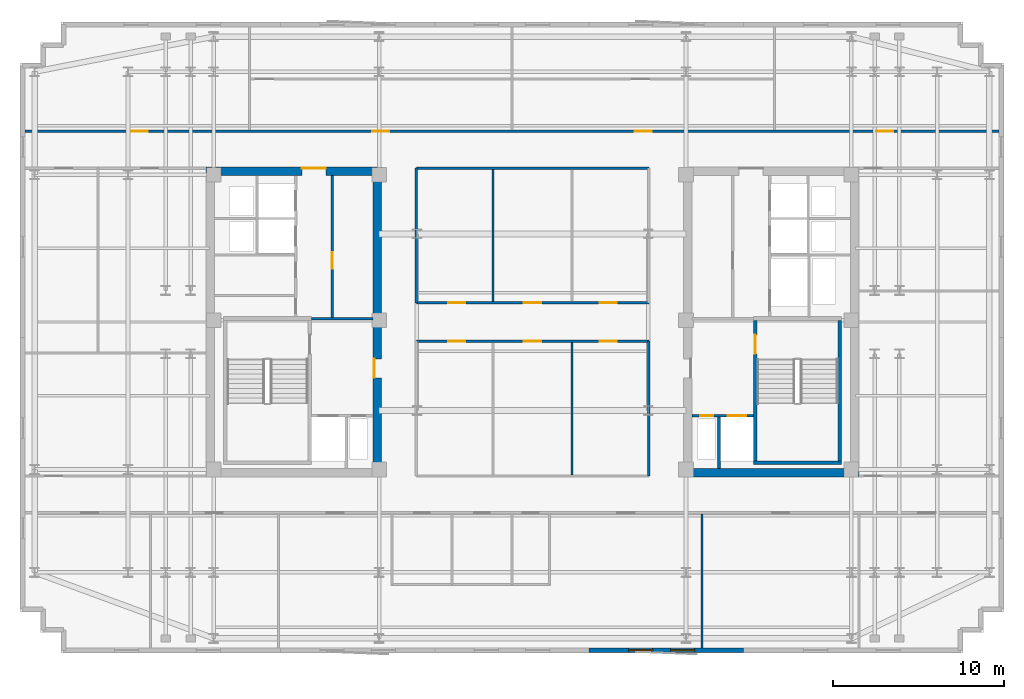
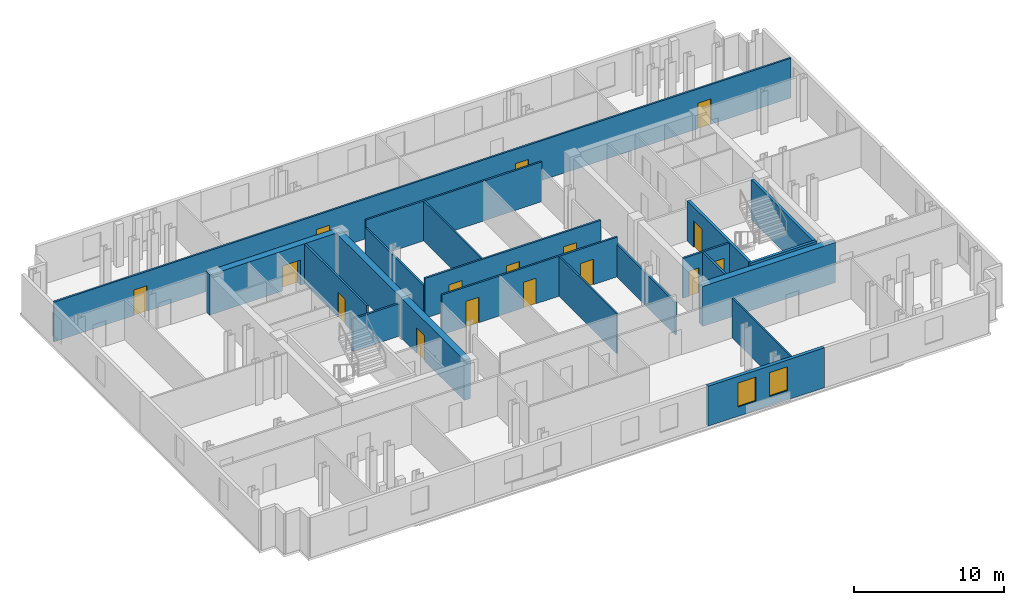
# One storey, part 5 of 9: 20 walls, 16 doors, 2 windows, 18 openings.
"""IFC4 building model written with IfcOpenShell, lengths in metres."""

from ifc_helpers import new_model, si_unit, direction, frame, frame_2d, origin, place, context, subcontext, project, spatial, rectangle, extrude, material, layer, layer_set, type_object, element, fill, save


model = new_model("IFC4")

# Units and contexts
model_context = context("Model", 3, precision=1e-05, world=origin(), true_north=direction((0.0, 1.0)))
body_context = subcontext(model_context, "Body", "Model", "MODEL_VIEW")
ifc_project = project(units=[si_unit("LENGTHUNIT", "METRE"), si_unit("AREAUNIT", "SQUARE_METRE"), si_unit("VOLUMEUNIT", "CUBIC_METRE"), si_unit("PLANEANGLEUNIT", "RADIAN"), si_unit("MASSUNIT", "GRAM", prefix="KILO")], contexts=[model_context])

# Site, building, storey
site_placement = place(None, origin())
site = spatial("IfcSite", under=ifc_project, at=site_placement, CompositionType="ELEMENT")
building_placement = place(site_placement, origin())
building = spatial("IfcBuilding", under=site, at=building_placement, Name="Velakula Bourse", CompositionType="ELEMENT")
storey_placement = place(building_placement, frame((0.0, 0.0, 229.199951171875)))
storey = spatial("IfcBuildingStorey", under=building, at=storey_placement, Name="L62", CompositionType="ELEMENT", Elevation=229.199951171875)

# Wall, opening, door
ifc_material_1 = material(Name="Concrete M50 (fck 50 MPa)", Category="concrete")
ifc_layer_1 = layer(ifc_material_1, 0.2099609375, Name="Concrete M50 (fck 50 MPa)", Category="concrete")
ifc_layer_set_1 = layer_set([ifc_layer_1], Name="Concrete M50 (fck 50 MPa)")
wall_type_1 = type_object("IfcWallType", Name="WL-CORE-210", PredefinedType="SHEAR", material=ifc_layer_set_1)
wall_1_placement = place(storey_placement, frame((12.9951171875, -8.10009765625, 0.0), z_axis=(0.0, 0.0, 1.0), x_axis=(0.0, 1.0, 0.0)))
wall_1 = element("IfcWall", 1, at=wall_1_placement, inside=storey, type_object=wall_type_1, Name="L62 Core E Stairwell Shear Wall IN", PredefinedType="SHEAR", context=body_context, shape_type="SweptSolid", body=[
    extrude(rectangle(XDim=8.2001953125, YDim=0.2099609375, at=frame_2d((4.10009765625, 0.0))), origin(), (0.0, 0.0, 1.0), 3.27001953125),
])
opening_1_placement = place(wall_1_placement, frame((6.25, 0.0, 0.0)))
opening_1 = element("IfcOpeningElement", 2, at=opening_1_placement, cuts=wall_1, Name="Opening D-STE1", PredefinedType="OPENING", context=body_context, shape_type="SweptSolid", body=[
    extrude(rectangle(XDim=1.10009765625, YDim=2.14990234375, at=frame_2d((0.550048828125, 1.074951171875))), frame((0.0, 0.114990234375, 0.0), z_axis=(0.0, -1.0, 0.0), x_axis=(1.0, 0.0, 0.0)), (0.0, 0.0, 1.0), 0.22998046875),
])
ifc_material_2 = material(Name="Galvanised painted hollow steel fire door", Category="steel")
door_type_1 = type_object("IfcDoorType", Name="DR-FD120-1100x2150", OperationType="NOTDEFINED", PredefinedType="DOOR", material=ifc_material_2)
door_1_placement = place(opening_1_placement, origin())
door_1 = element("IfcDoor", 3, at=door_1_placement, inside=storey, type_object=door_type_1, Name="L62 Stair ST-E1 Fire Door", OperationType="SINGLE_SWING_RIGHT", OverallHeight=2.14990234375, OverallWidth=1.10009765625, PredefinedType="DOOR", context=body_context, shape_type="SweptSolid", body=[
    extrude(rectangle(XDim=1.10009765625, YDim=2.14990234375, at=frame_2d((0.550048828125, 1.074951171875))), frame((0.0, 0.02490234375, 0.0), z_axis=(0.0, -1.0, 0.0), x_axis=(1.0, 0.0, 0.0)), (0.0, 0.0, 1.0), 0.050048828125),
])
fill(opening_1, door_1)

# Walls
wall_2_placement = place(storey_placement, frame((17.925048828125, -8.10009765625, 0.0), z_axis=(0.0, 0.0, 1.0), x_axis=(0.0, 1.0, 0.0)))
element("IfcWall", 4, at=wall_2_placement, inside=storey, type_object=wall_type_1, Name="L62 Core E Stairwell Shear Wall OUT", PredefinedType="SHEAR", context=body_context, shape_type="SweptSolid", body=[
    extrude(rectangle(XDim=8.2001953125, YDim=0.2099609375, at=frame_2d((4.10009765625, 0.0))), origin(), (0.0, 0.0, 1.0), 3.27001953125),
])
wall_3_placement = place(storey_placement, frame((12.889892578125, -8.205078125, 0.0), z_axis=(0.0, 0.0, 1.0), x_axis=(1.0, 0.0, 0.0)))
element("IfcWall", 5, at=wall_3_placement, inside=storey, type_object=wall_type_1, Name="L62 Core E Stairwell Shear Wall S", PredefinedType="SHEAR", context=body_context, shape_type="SweptSolid", body=[
    extrude(rectangle(XDim=5.14013671875, YDim=0.2099609375, at=frame_2d((2.570068359375, 0.0))), origin(), (0.0, 0.0, 1.0), 3.27001953125),
])

# Wall, opening, door
ifc_layer_2 = layer(ifc_material_1, 0.5, Name="Concrete M50 (fck 50 MPa)", Category="concrete")
ifc_layer_set_2 = layer_set([ifc_layer_2], Name="Concrete M50 (fck 50 MPa)")
wall_type_2 = type_object("IfcWallType", Name="WL-CORE-500", PredefinedType="SHEAR", material=ifc_layer_set_2)
wall_4_placement = place(storey_placement, frame((-19.050048828125, 8.800048828125, 0.0), z_axis=(0.0, 0.0, 1.0), x_axis=(1.0, 0.0, 0.0)))
wall_4 = element("IfcWall", 6, at=wall_4_placement, inside=storey, type_object=wall_type_2, Name="L62 Core W Shear Wall N", PredefinedType="SHEAR", context=body_context, shape_type="SweptSolid", body=[
    extrude(rectangle(XDim=10.25, YDim=0.5, at=frame_2d((5.125, 0.0))), origin(), (0.0, 0.0, 1.0), 3.27001953125),
])
opening_2_placement = place(wall_4_placement, frame((5.60009765625, 0.0, 0.0)))
opening_2 = element("IfcOpeningElement", 7, at=opening_2_placement, cuts=wall_4, Name="Opening D-LLW", PredefinedType="OPENING", context=body_context, shape_type="SweptSolid", body=[
    extrude(rectangle(XDim=1.39990234375, YDim=2.050048828125, at=frame_2d((0.699951171875, 1.02490234375))), frame((0.0, 0.260009765625, 0.0), z_axis=(0.0, -1.0, 0.0), x_axis=(1.0, 0.0, 0.0)), (0.0, 0.0, 1.0), 0.52001953125),
])
ifc_material_3 = material(Name="Fire-rated hardwood flush architectural door", Category="wood")
door_type_2 = type_object("IfcDoorType", Name="DR-DBL-FD60-1400", OperationType="DOUBLE_DOOR_SINGLE_SWING", PredefinedType="DOOR", material=ifc_material_3)
door_2_placement = place(opening_2_placement, origin())
door_2 = element("IfcDoor", 8, at=door_2_placement, inside=storey, type_object=door_type_2, Name="L62 Core W Lift Lobby Corridor Double Door", OperationType="DOUBLE_DOOR_SINGLE_SWING", OverallHeight=2.050048828125, OverallWidth=1.39990234375, PredefinedType="DOOR", context=body_context, shape_type="SweptSolid", body=[
    extrude(rectangle(XDim=1.39990234375, YDim=2.050048828125, at=frame_2d((0.699951171875, 1.02490234375))), frame((0.0, 0.19482421875, 0.0), z_axis=(0.0, -1.0, 0.0), x_axis=(1.0, 0.0, 0.0)), (0.0, 0.0, 1.0), 0.050048828125),
])
fill(opening_2, door_2)

wall_5_placement = place(storey_placement, frame((-9.050048828125, -8.550048828125, 0.0), z_axis=(0.0, 0.0, 1.0), x_axis=(0.0, 1.0, 0.0)))
wall_5 = element("IfcWall", 9, at=wall_5_placement, inside=storey, type_object=wall_type_2, Name="L62 Core W Shear Wall E", PredefinedType="SHEAR", context=body_context, shape_type="SweptSolid", body=[
    extrude(rectangle(XDim=17.10009765625, YDim=0.5, at=frame_2d((8.550048828125, 0.0))), origin(), (0.0, 0.0, 1.0), 3.27001953125),
])
opening_3_placement = place(wall_5_placement, frame((5.300048828125, 0.0, 0.0)))
opening_3 = element("IfcOpeningElement", 10, at=opening_3_placement, cuts=wall_5, Name="Opening D-FLW", PredefinedType="OPENING", context=body_context, shape_type="SweptSolid", body=[
    extrude(rectangle(XDim=1.10009765625, YDim=2.080078125, at=frame_2d((0.550048828125, 1.0400390625))), frame((0.0, 0.260009765625, 0.0), z_axis=(0.0, -1.0, 0.0), x_axis=(1.0, 0.0, 0.0)), (0.0, 0.0, 1.0), 0.52001953125),
])
door_type_3 = type_object("IfcDoorType", Name="DR-FD120-1100", OperationType="NOTDEFINED", PredefinedType="DOOR", material=ifc_material_2)
door_3_placement = place(opening_3_placement, origin())
door_3 = element("IfcDoor", 11, at=door_3_placement, inside=storey, type_object=door_type_3, Name="L62 Firefighting Lobby W Corridor Fire Door", OperationType="SINGLE_SWING_LEFT", OverallHeight=2.080078125, OverallWidth=1.10009765625, PredefinedType="DOOR", context=body_context, shape_type="SweptSolid", body=[
    extrude(rectangle(XDim=1.10009765625, YDim=2.080078125, at=frame_2d((0.550048828125, 1.0400390625))), frame((0.0, 0.205078125, 0.0), z_axis=(0.0, -1.0, 0.0), x_axis=(1.0, 0.0, 0.0)), (0.0, 0.0, 1.0), 0.050048828125),
])
fill(opening_3, door_3)

# Wall
wall_6_placement = place(storey_placement, frame((8.800048828125, -8.800048828125, 0.0), z_axis=(0.0, 0.0, 1.0), x_axis=(1.0, 0.0, 0.0)))
element("IfcWall", 12, at=wall_6_placement, inside=storey, type_object=wall_type_2, Name="L62 Core E Shear Wall S", PredefinedType="SHEAR", context=body_context, shape_type="SweptSolid", body=[
    extrude(rectangle(XDim=10.25, YDim=0.5, at=frame_2d((5.125, 0.0))), origin(), (0.0, 0.0, 1.0), 3.27001953125),
])

# Wall, openings, windows
ifc_material_4 = material(Name="Buff kilned clay facing brick masonry", Category="masonry")
ifc_layer_3 = layer(ifc_material_4, 0.260009765625, Name="Buff kilned clay facing brick masonry", Category="masonry")
ifc_layer_set_3 = layer_set([ifc_layer_3], Name="Buff kilned clay facing brick masonry")
wall_type_3 = type_object("IfcWallType", Name="WL-EXT-BRK-260", PredefinedType="STANDARD", material=ifc_layer_set_3)
wall_7_placement = place(storey_placement, frame((12.300048828125, -19.14990234375, 0.0), z_axis=(0.0, 0.0, 1.0), x_axis=(-1.0, 0.0, 0.0)))
wall_7 = element("IfcWall", 13, at=wall_7_placement, inside=storey, type_object=wall_type_3, Name="L62 S Brick Spandrel Wall B4", PredefinedType="STANDARD", context=body_context, shape_type="SweptSolid", body=[
    extrude(rectangle(XDim=9.0, YDim=0.260009765625, at=frame_2d((4.5, 0.0))), origin(), (0.0, 0.0, 1.0), 3.25),
])
opening_4_placement = place(wall_7_placement, frame((2.85009765625, 0.0, 0.760009765625)))
opening_4 = element("IfcOpeningElement", 14, at=opening_4_placement, cuts=wall_7, Name="Opening W-03", PredefinedType="OPENING", context=body_context, shape_type="SweptSolid", body=[
    extrude(rectangle(XDim=1.39990234375, YDim=1.949951171875, at=frame_2d((0.699951171875, 0.97509765625))), frame((0.0, 0.139892578125, 0.0), z_axis=(0.0, -1.0, 0.0), x_axis=(1.0, 0.0, 0.0)), (0.0, 0.0, 1.0), 0.280029296875),
])
opening_5_placement = place(wall_7_placement, frame((5.300048828125, 0.0, 0.760009765625)))
opening_5 = element("IfcOpeningElement", 15, at=opening_5_placement, cuts=wall_7, Name="Opening W-03", PredefinedType="OPENING", context=body_context, shape_type="SweptSolid", body=[
    extrude(rectangle(XDim=1.39990234375, YDim=1.949951171875, at=frame_2d((0.699951171875, 0.97509765625))), frame((0.0, 0.139892578125, 0.0), z_axis=(0.0, -1.0, 0.0), x_axis=(1.0, 0.0, 0.0)), (0.0, 0.0, 1.0), 0.280029296875),
])
ifc_material_5 = material(Name="Double-glazed solar-control Low-E glass", Category="glass")
window_type = type_object("IfcWindowType", Name="WIN-TWR-1400x2100", PartitioningType="SINGLE_PANEL", PredefinedType="WINDOW", material=ifc_material_5)
window_1_placement = place(opening_4_placement, origin())
window_1 = element("IfcWindow", 16, at=window_1_placement, inside=storey, type_object=window_type, Name="L62 Deep-Set Recessed Window 1", OverallHeight=1.949951171875, OverallWidth=1.39990234375, PartitioningType="SINGLE_PANEL", PredefinedType="WINDOW", context=body_context, shape_type="SweptSolid", body=[
    extrude(rectangle(XDim=1.39990234375, YDim=1.949951171875, at=frame_2d((0.699951171875, 0.97509765625))), frame((0.0, 0.030029296875, 0.0), z_axis=(0.0, -1.0, 0.0), x_axis=(1.0, 0.0, 0.0)), (0.0, 0.0, 1.0), 0.06005859375),
])
fill(opening_4, window_1)
window_2_placement = place(opening_5_placement, origin())
window_2 = element("IfcWindow", 17, at=window_2_placement, inside=storey, type_object=window_type, Name="L62 Deep-Set Recessed Window 2", OverallHeight=1.949951171875, OverallWidth=1.39990234375, PartitioningType="SINGLE_PANEL", PredefinedType="WINDOW", context=body_context, shape_type="SweptSolid", body=[
    extrude(rectangle(XDim=1.39990234375, YDim=1.949951171875, at=frame_2d((0.699951171875, 0.97509765625))), frame((0.0, 0.030029296875, 0.0), z_axis=(0.0, -1.0, 0.0), x_axis=(1.0, 0.0, 0.0)), (0.0, 0.0, 1.0), 0.06005859375),
])
fill(opening_5, window_2)

# Wall
ifc_material_6 = material(Name="Fire-rated double-layer gypsum drywall partition", Category="gypsum")
ifc_layer_4 = layer(ifc_material_6, 0.1201171875, Name="Fire-rated double-layer gypsum drywall partition", Category="gypsum")
ifc_layer_set_4 = layer_set([ifc_layer_4], Name="Fire-rated double-layer gypsum drywall partition")
wall_type_4 = type_object("IfcWallType", Name="WL-PART-120", PredefinedType="STANDARD", material=ifc_layer_set_4)
wall_8_placement = place(storey_placement, frame((9.89404296875, -19.02001953125, 0.0), z_axis=(0.0, 0.0, 1.0), x_axis=(0.0, 1.0, 0.0)))
element("IfcWall", 18, at=wall_8_placement, inside=storey, type_object=wall_type_4, Name="L62 Interior Partition WL-INT-L62-SR-D7", PredefinedType="STANDARD", context=body_context, shape_type="SweptSolid", body=[
    extrude(rectangle(XDim=7.830078125, YDim=0.1201171875, at=frame_2d((3.9150390625, 0.0))), origin(), (0.0, 0.0, 1.0), 3.25),
])

# Wall, openings, doors
ifc_layer_5 = layer(ifc_material_6, 0.139892578125, Name="Fire-rated double-layer gypsum drywall partition", Category="gypsum")
ifc_layer_set_5 = layer_set([ifc_layer_5], Name="Fire-rated double-layer gypsum drywall partition")
wall_type_5 = type_object("IfcWallType", Name="WL-PART-140", PredefinedType="STANDARD", material=ifc_layer_set_5)
wall_9_placement = place(storey_placement, frame((-29.6201171875, 11.1201171875, 0.0), z_axis=(0.0, 0.0, 1.0), x_axis=(1.0, 0.0, 0.0)))
wall_9 = element("IfcWall", 19, at=wall_9_placement, inside=storey, type_object=wall_type_5, Name="L62 Interior Partition WL-INT-L62-N-CORR", PredefinedType="STANDARD", context=body_context, shape_type="SweptSolid", body=[
    extrude(rectangle(XDim=56.840087890625, YDim=0.139892578125, at=frame_2d((28.419921875, 0.0))), origin(), (0.0, 0.0, 1.0), 3.25),
])
opening_6_placement = place(wall_9_placement, frame((6.178955078125, 0.0, 0.0)))
opening_6 = element("IfcOpeningElement", 20, at=opening_6_placement, cuts=wall_9, Name="Opening D-OF1", PredefinedType="OPENING", context=body_context, shape_type="SweptSolid", body=[
    extrude(rectangle(XDim=1.0, YDim=2.080078125, at=frame_2d((0.5, 1.0400390625))), frame((0.0, 0.079833984375, 0.0), z_axis=(0.0, -1.0, 0.0), x_axis=(1.0, 0.0, 0.0)), (0.0, 0.0, 1.0), 0.159912109375),
])
opening_7_placement = place(wall_9_placement, frame((20.262939453125, 0.0, 0.0)))
opening_7 = element("IfcOpeningElement", 21, at=opening_7_placement, cuts=wall_9, Name="Opening D-OF1", PredefinedType="OPENING", context=body_context, shape_type="SweptSolid", body=[
    extrude(rectangle(XDim=1.0, YDim=2.080078125, at=frame_2d((0.5, 1.0400390625))), frame((0.0, 0.079833984375, 0.0), z_axis=(0.0, -1.0, 0.0), x_axis=(1.0, 0.0, 0.0)), (0.0, 0.0, 1.0), 0.159912109375),
])
opening_8_placement = place(wall_9_placement, frame((35.576904296875, 0.0, 0.0)))
opening_8 = element("IfcOpeningElement", 22, at=opening_8_placement, cuts=wall_9, Name="Opening D-OF1", PredefinedType="OPENING", context=body_context, shape_type="SweptSolid", body=[
    extrude(rectangle(XDim=1.0, YDim=2.080078125, at=frame_2d((0.5, 1.0400390625))), frame((0.0, 0.079833984375, 0.0), z_axis=(0.0, -1.0, 0.0), x_axis=(1.0, 0.0, 0.0)), (0.0, 0.0, 1.0), 0.159912109375),
])
opening_9_placement = place(wall_9_placement, frame((49.660888671875, 0.0, 0.0)))
opening_9 = element("IfcOpeningElement", 23, at=opening_9_placement, cuts=wall_9, Name="Opening D-OF1", PredefinedType="OPENING", context=body_context, shape_type="SweptSolid", body=[
    extrude(rectangle(XDim=1.0, YDim=2.080078125, at=frame_2d((0.5, 1.0400390625))), frame((0.0, 0.079833984375, 0.0), z_axis=(0.0, -1.0, 0.0), x_axis=(1.0, 0.0, 0.0)), (0.0, 0.0, 1.0), 0.159912109375),
])
door_type_4 = type_object("IfcDoorType", Name="DR-OFF-1000", OperationType="NOTDEFINED", PredefinedType="DOOR", material=ifc_material_3)
door_4_placement = place(opening_6_placement, origin())
door_4 = element("IfcDoor", 24, at=door_4_placement, inside=storey, type_object=door_type_4, Name="L62 Interest-Rate Swaps Workspace Door", OperationType="SINGLE_SWING_LEFT", OverallHeight=2.080078125, OverallWidth=1.0, PredefinedType="DOOR", context=body_context, shape_type="SweptSolid", body=[
    extrude(rectangle(XDim=1.0, YDim=2.080078125, at=frame_2d((0.5, 1.0400390625))), frame((0.0, 0.02490234375, 0.0), z_axis=(0.0, -1.0, 0.0), x_axis=(1.0, 0.0, 0.0)), (0.0, 0.0, 1.0), 0.050048828125),
])
fill(opening_6, door_4)
door_5_placement = place(opening_7_placement, origin())
door_5 = element("IfcDoor", 25, at=door_5_placement, inside=storey, type_object=door_type_4, Name="L62 Clearing Committee Room Door", OperationType="SINGLE_SWING_RIGHT", OverallHeight=2.080078125, OverallWidth=1.0, PredefinedType="DOOR", context=body_context, shape_type="SweptSolid", body=[
    extrude(rectangle(XDim=1.0, YDim=2.080078125, at=frame_2d((0.5, 1.0400390625))), frame((0.0, 0.02490234375, 0.0), z_axis=(0.0, -1.0, 0.0), x_axis=(1.0, 0.0, 0.0)), (0.0, 0.0, 1.0), 0.050048828125),
])
fill(opening_7, door_5)
door_6_placement = place(opening_8_placement, origin())
door_6 = element("IfcDoor", 26, at=door_6_placement, inside=storey, type_object=door_type_4, Name="L62 Executive Boardroom Door", OperationType="SINGLE_SWING_RIGHT", OverallHeight=2.080078125, OverallWidth=1.0, PredefinedType="DOOR", context=body_context, shape_type="SweptSolid", body=[
    extrude(rectangle(XDim=1.0, YDim=2.080078125, at=frame_2d((0.5, 1.0400390625))), frame((0.0, 0.02490234375, 0.0), z_axis=(0.0, -1.0, 0.0), x_axis=(1.0, 0.0, 0.0)), (0.0, 0.0, 1.0), 0.050048828125),
])
fill(opening_8, door_6)
door_7_placement = place(opening_9_placement, origin())
door_7 = element("IfcDoor", 27, at=door_7_placement, inside=storey, type_object=door_type_4, Name="L62 Breakout Dining Lounge Door", OperationType="SINGLE_SWING_RIGHT", OverallHeight=2.080078125, OverallWidth=1.0, PredefinedType="DOOR", context=body_context, shape_type="SweptSolid", body=[
    extrude(rectangle(XDim=1.0, YDim=2.080078125, at=frame_2d((0.5, 1.0400390625))), frame((0.0, 0.02490234375, 0.0), z_axis=(0.0, -1.0, 0.0), x_axis=(1.0, 0.0, 0.0)), (0.0, 0.0, 1.0), 0.050048828125),
])
fill(opening_9, door_7)

wall_10_placement = place(storey_placement, frame((-6.780029296875, 1.1201171875, 0.0), z_axis=(0.0, 0.0, 1.0), x_axis=(1.0, 0.0, 0.0)))
wall_10 = element("IfcWall", 28, at=wall_10_placement, inside=storey, type_object=wall_type_5, Name="L62 Interior Partition WL-INT-L62-MN-IN", PredefinedType="STANDARD", context=body_context, shape_type="SweptSolid", body=[
    extrude(rectangle(XDim=13.56005859375, YDim=0.139892578125, at=frame_2d((6.780029296875, 0.0))), origin(), (0.0, 0.0, 1.0), 3.25),
])
opening_10_placement = place(wall_10_placement, frame((1.865966796875, 0.0, 0.0)))
opening_10 = element("IfcOpeningElement", 29, at=opening_10_placement, cuts=wall_10, Name="Opening D-OF1", PredefinedType="OPENING", context=body_context, shape_type="SweptSolid", body=[
    extrude(rectangle(XDim=1.0, YDim=2.080078125, at=frame_2d((0.5, 1.0400390625))), frame((0.0, 0.079833984375, 0.0), z_axis=(0.0, -1.0, 0.0), x_axis=(1.0, 0.0, 0.0)), (0.0, 0.0, 1.0), 0.159912109375),
])
opening_11_placement = place(wall_10_placement, frame((6.280029296875, 0.0, 0.0)))
opening_11 = element("IfcOpeningElement", 30, at=opening_11_placement, cuts=wall_10, Name="Opening D-OF1", PredefinedType="OPENING", context=body_context, shape_type="SweptSolid", body=[
    extrude(rectangle(XDim=1.0, YDim=2.080078125, at=frame_2d((0.5, 1.0400390625))), frame((0.0, 0.079833984375, 0.0), z_axis=(0.0, -1.0, 0.0), x_axis=(1.0, 0.0, 0.0)), (0.0, 0.0, 1.0), 0.159912109375),
])
opening_12_placement = place(wall_10_placement, frame((10.694091796875, 0.0, 0.0)))
opening_12 = element("IfcOpeningElement", 31, at=opening_12_placement, cuts=wall_10, Name="Opening D-OF1", PredefinedType="OPENING", context=body_context, shape_type="SweptSolid", body=[
    extrude(rectangle(XDim=1.0, YDim=2.080078125, at=frame_2d((0.5, 1.0400390625))), frame((0.0, 0.079833984375, 0.0), z_axis=(0.0, -1.0, 0.0), x_axis=(1.0, 0.0, 0.0)), (0.0, 0.0, 1.0), 0.159912109375),
])
door_8_placement = place(opening_10_placement, origin())
door_8 = element("IfcDoor", 32, at=door_8_placement, inside=storey, type_object=door_type_4, Name="L62 Margin Control Office Door", OperationType="SINGLE_SWING_LEFT", OverallHeight=2.080078125, OverallWidth=1.0, PredefinedType="DOOR", context=body_context, shape_type="SweptSolid", body=[
    extrude(rectangle(XDim=1.0, YDim=2.080078125, at=frame_2d((0.5, 1.0400390625))), frame((0.0, 0.02490234375, 0.0), z_axis=(0.0, -1.0, 0.0), x_axis=(1.0, 0.0, 0.0)), (0.0, 0.0, 1.0), 0.050048828125),
])
fill(opening_10, door_8)
door_9_placement = place(opening_11_placement, origin())
door_9 = element("IfcDoor", 33, at=door_9_placement, inside=storey, type_object=door_type_4, Name="L62 Treasury Operations Office Door", OperationType="SINGLE_SWING_RIGHT", OverallHeight=2.080078125, OverallWidth=1.0, PredefinedType="DOOR", context=body_context, shape_type="SweptSolid", body=[
    extrude(rectangle(XDim=1.0, YDim=2.080078125, at=frame_2d((0.5, 1.0400390625))), frame((0.0, 0.02490234375, 0.0), z_axis=(0.0, -1.0, 0.0), x_axis=(1.0, 0.0, 0.0)), (0.0, 0.0, 1.0), 0.050048828125),
])
fill(opening_11, door_9)
door_10_placement = place(opening_12_placement, origin())
door_10 = element("IfcDoor", 34, at=door_10_placement, inside=storey, type_object=door_type_4, Name="L62 Bullion Assay Office Door", OperationType="SINGLE_SWING_LEFT", OverallHeight=2.080078125, OverallWidth=1.0, PredefinedType="DOOR", context=body_context, shape_type="SweptSolid", body=[
    extrude(rectangle(XDim=1.0, YDim=2.080078125, at=frame_2d((0.5, 1.0400390625))), frame((0.0, 0.02490234375, 0.0), z_axis=(0.0, -1.0, 0.0), x_axis=(1.0, 0.0, 0.0)), (0.0, 0.0, 1.0), 0.050048828125),
])
fill(opening_12, door_10)

# Walls
wall_11_placement = place(storey_placement, frame((-6.780029296875, 8.97998046875, 0.0), z_axis=(0.0, 0.0, 1.0), x_axis=(1.0, 0.0, 0.0)))
element("IfcWall", 35, at=wall_11_placement, inside=storey, type_object=wall_type_5, Name="L62 Interior Partition WL-INT-L62-MN-OUT", PredefinedType="STANDARD", context=body_context, shape_type="SweptSolid", body=[
    extrude(rectangle(XDim=13.56005859375, YDim=0.139892578125, at=frame_2d((6.780029296875, 0.0))), origin(), (0.0, 0.0, 1.0), 3.25),
])
wall_12_placement = place(storey_placement, frame((-6.780029296875, 1.1201171875, 0.0), z_axis=(0.0, 0.0, 1.0), x_axis=(0.0, 1.0, 0.0)))
element("IfcWall", 36, at=wall_12_placement, inside=storey, type_object=wall_type_5, Name="L62 Interior Partition WL-INT-L62-MN-W", PredefinedType="STANDARD", context=body_context, shape_type="SweptSolid", body=[
    extrude(rectangle(XDim=7.85986328125, YDim=0.139892578125, at=frame_2d((3.929931640625, 0.0))), origin(), (0.0, 0.0, 1.0), 2.64501953125),
])
wall_13_placement = place(storey_placement, frame((-2.300048828125, 1.18994140625, 0.0), z_axis=(0.0, 0.0, 1.0), x_axis=(0.0, 1.0, 0.0)))
element("IfcWall", 37, at=wall_13_placement, inside=storey, type_object=wall_type_5, Name="L62 Interior Partition WL-INT-L62-MN-V1", PredefinedType="STANDARD", context=body_context, shape_type="SweptSolid", body=[
    extrude(rectangle(XDim=7.719970703125, YDim=0.1201171875, at=frame_2d((3.85986328125, 0.0))), origin(), (0.0, 0.0, 1.0), 3.25),
])

# Wall, openings, doors
wall_14_placement = place(storey_placement, frame((-6.780029296875, -1.1201171875, 0.0), z_axis=(0.0, 0.0, 1.0), x_axis=(1.0, 0.0, 0.0)))
wall_14 = element("IfcWall", 38, at=wall_14_placement, inside=storey, type_object=wall_type_5, Name="L62 Interior Partition WL-INT-L62-MS-IN", PredefinedType="STANDARD", context=body_context, shape_type="SweptSolid", body=[
    extrude(rectangle(XDim=13.56005859375, YDim=0.139892578125, at=frame_2d((6.780029296875, 0.0))), origin(), (0.0, 0.0, 1.0), 3.25),
])
opening_13_placement = place(wall_14_placement, frame((1.865966796875, 0.0, 0.0)))
opening_13 = element("IfcOpeningElement", 39, at=opening_13_placement, cuts=wall_14, Name="Opening D-OF1", PredefinedType="OPENING", context=body_context, shape_type="SweptSolid", body=[
    extrude(rectangle(XDim=1.0, YDim=2.080078125, at=frame_2d((0.5, 1.0400390625))), frame((0.0, 0.079833984375, 0.0), z_axis=(0.0, -1.0, 0.0), x_axis=(1.0, 0.0, 0.0)), (0.0, 0.0, 1.0), 0.159912109375),
])
opening_14_placement = place(wall_14_placement, frame((6.280029296875, 0.0, 0.0)))
opening_14 = element("IfcOpeningElement", 40, at=opening_14_placement, cuts=wall_14, Name="Opening D-OF1", PredefinedType="OPENING", context=body_context, shape_type="SweptSolid", body=[
    extrude(rectangle(XDim=1.0, YDim=2.080078125, at=frame_2d((0.5, 1.0400390625))), frame((0.0, 0.079833984375, 0.0), z_axis=(0.0, -1.0, 0.0), x_axis=(1.0, 0.0, 0.0)), (0.0, 0.0, 1.0), 0.159912109375),
])
opening_15_placement = place(wall_14_placement, frame((10.694091796875, 0.0, 0.0)))
opening_15 = element("IfcOpeningElement", 41, at=opening_15_placement, cuts=wall_14, Name="Opening D-OF1", PredefinedType="OPENING", context=body_context, shape_type="SweptSolid", body=[
    extrude(rectangle(XDim=1.0, YDim=2.080078125, at=frame_2d((0.5, 1.0400390625))), frame((0.0, 0.079833984375, 0.0), z_axis=(0.0, -1.0, 0.0), x_axis=(1.0, 0.0, 0.0)), (0.0, 0.0, 1.0), 0.159912109375),
])
door_11_placement = place(opening_13_placement, origin())
door_11 = element("IfcDoor", 42, at=door_11_placement, inside=storey, type_object=door_type_4, Name="L62 Legal Counsel Office Door", OperationType="SINGLE_SWING_RIGHT", OverallHeight=2.080078125, OverallWidth=1.0, PredefinedType="DOOR", context=body_context, shape_type="SweptSolid", body=[
    extrude(rectangle(XDim=1.0, YDim=2.080078125, at=frame_2d((0.5, 1.0400390625))), frame((0.0, 0.02490234375, 0.0), z_axis=(0.0, -1.0, 0.0), x_axis=(1.0, 0.0, 0.0)), (0.0, 0.0, 1.0), 0.050048828125),
])
fill(opening_13, door_11)
door_12_placement = place(opening_14_placement, origin())
door_12 = element("IfcDoor", 43, at=door_12_placement, inside=storey, type_object=door_type_4, Name="L62 Issuer Relations Office Door", OperationType="SINGLE_SWING_LEFT", OverallHeight=2.080078125, OverallWidth=1.0, PredefinedType="DOOR", context=body_context, shape_type="SweptSolid", body=[
    extrude(rectangle(XDim=1.0, YDim=2.080078125, at=frame_2d((0.5, 1.0400390625))), frame((0.0, 0.02490234375, 0.0), z_axis=(0.0, -1.0, 0.0), x_axis=(1.0, 0.0, 0.0)), (0.0, 0.0, 1.0), 0.050048828125),
])
fill(opening_14, door_12)
door_13_placement = place(opening_15_placement, origin())
door_13 = element("IfcDoor", 44, at=door_13_placement, inside=storey, type_object=door_type_4, Name="L62 Asset Allocation Office Door", OperationType="SINGLE_SWING_RIGHT", OverallHeight=2.080078125, OverallWidth=1.0, PredefinedType="DOOR", context=body_context, shape_type="SweptSolid", body=[
    extrude(rectangle(XDim=1.0, YDim=2.080078125, at=frame_2d((0.5, 1.0400390625))), frame((0.0, 0.02490234375, 0.0), z_axis=(0.0, -1.0, 0.0), x_axis=(1.0, 0.0, 0.0)), (0.0, 0.0, 1.0), 0.050048828125),
])
fill(opening_15, door_13)

# Walls
wall_15_placement = place(storey_placement, frame((6.780029296875, -8.97998046875, 0.0), z_axis=(0.0, 0.0, 1.0), x_axis=(0.0, 1.0, 0.0)))
element("IfcWall", 45, at=wall_15_placement, inside=storey, type_object=wall_type_5, Name="L62 Interior Partition WL-INT-L62-MS-E", PredefinedType="STANDARD", context=body_context, shape_type="SweptSolid", body=[
    extrude(rectangle(XDim=7.85986328125, YDim=0.139892578125, at=frame_2d((3.929931640625, 0.0))), origin(), (0.0, 0.0, 1.0), 2.64501953125),
])
wall_16_placement = place(storey_placement, frame((2.300048828125, -8.909912109375, 0.0), z_axis=(0.0, 0.0, 1.0), x_axis=(0.0, 1.0, 0.0)))
element("IfcWall", 46, at=wall_16_placement, inside=storey, type_object=wall_type_5, Name="L62 Interior Partition WL-INT-L62-MS-V2", PredefinedType="STANDARD", context=body_context, shape_type="SweptSolid", body=[
    extrude(rectangle(XDim=7.719970703125, YDim=0.1201171875, at=frame_2d((3.85986328125, 0.0))), origin(), (0.0, 0.0, 1.0), 3.25),
])
ifc_material_7 = material(Name="Autoclaved aerated concrete blockwork masonry", Category="masonry")
ifc_layer_6 = layer(ifc_material_7, 0.14990234375, Name="Autoclaved aerated concrete blockwork masonry", Category="masonry")
ifc_layer_set_6 = layer_set([ifc_layer_6], Name="Autoclaved aerated concrete blockwork masonry")
wall_type_6 = type_object("IfcWallType", Name="WL-SHAFT-150", PredefinedType="STANDARD", material=ifc_layer_set_6)
wall_17_placement = place(storey_placement, frame((-12.889892578125, 0.18994140625, 0.0), z_axis=(0.0, 0.0, 1.0), x_axis=(1.0, 0.0, 0.0)))
element("IfcWall", 47, at=wall_17_placement, inside=storey, type_object=wall_type_6, Name="L62 Interior Partition WL-CRW-L62-FF-TOP", PredefinedType="STANDARD", context=body_context, shape_type="SweptSolid", body=[
    extrude(rectangle(XDim=3.58984375, YDim=0.14990234375, at=frame_2d((1.794921875, 0.0))), origin(), (0.0, 0.0, 1.0), 2.64501953125),
])

# Wall, opening, door
wall_18_placement = place(storey_placement, frame((-11.675048828125, 0.27001953125, 0.0), z_axis=(0.0, 0.0, 1.0), x_axis=(0.0, 1.0, 0.0)))
wall_18 = element("IfcWall", 48, at=wall_18_placement, inside=storey, type_object=wall_type_6, Name="L62 Interior Partition WL-CRW-L62-BANK-F", PredefinedType="STANDARD", context=body_context, shape_type="SweptSolid", body=[
    extrude(rectangle(XDim=8.280029296875, YDim=0.14990234375, at=frame_2d((4.14013671875, 0.0))), origin(), (0.0, 0.0, 1.0), 3.25),
])
opening_16_placement = place(wall_18_placement, frame((2.85009765625, 0.0, 0.0)))
opening_16 = element("IfcOpeningElement", 49, at=opening_16_placement, cuts=wall_18, Name="Opening D-RC4", PredefinedType="OPENING", context=body_context, shape_type="SweptSolid", body=[
    extrude(rectangle(XDim=0.949951171875, YDim=2.050048828125, at=frame_2d((0.47509765625, 1.02490234375))), frame((0.0, 0.0849609375, 0.0), z_axis=(0.0, -1.0, 0.0), x_axis=(1.0, 0.0, 0.0)), (0.0, 0.0, 1.0), 0.169921875),
])
door_type_5 = type_object("IfcDoorType", Name="DR-FD60-950x2050", OperationType="NOTDEFINED", PredefinedType="DOOR", material=ifc_material_3)
door_14_placement = place(opening_16_placement, origin())
door_14 = element("IfcDoor", 50, at=door_14_placement, inside=storey, type_object=door_type_5, Name="L62 Reclaimed Multi-Bay Archive Room Door", OperationType="SINGLE_SWING_RIGHT", OverallHeight=2.050048828125, OverallWidth=0.949951171875, PredefinedType="DOOR", context=body_context, shape_type="SweptSolid", body=[
    extrude(rectangle(XDim=0.949951171875, YDim=2.050048828125, at=frame_2d((0.47509765625, 1.02490234375))), frame((0.0, 0.02490234375, 0.0), z_axis=(0.0, -1.0, 0.0), x_axis=(1.0, 0.0, 0.0)), (0.0, 0.0, 1.0), 0.050048828125),
])
fill(opening_16, door_14)

# Wall, openings, doors
wall_19_placement = place(storey_placement, frame((9.300048828125, -5.47509765625, 0.0), z_axis=(0.0, 0.0, 1.0), x_axis=(1.0, 0.0, 0.0)))
wall_19 = element("IfcWall", 51, at=wall_19_placement, inside=storey, type_object=wall_type_6, Name="L62 Interior Partition WL-CRE-L62-FFL-N", PredefinedType="STANDARD", context=body_context, shape_type="SweptSolid", body=[
    extrude(rectangle(XDim=3.594970703125, YDim=0.14990234375, at=frame_2d((1.79736328125, 0.0))), origin(), (0.0, 0.0, 1.0), 3.25),
])
opening_17_placement = place(wall_19_placement, frame((2.074951171875, 0.0, 0.0)))
opening_17 = element("IfcOpeningElement", 52, at=opening_17_placement, cuts=wall_19, Name="Opening LD-FFL-2", PredefinedType="OPENING", context=body_context, shape_type="SweptSolid", body=[
    extrude(rectangle(XDim=1.10009765625, YDim=2.14990234375, at=frame_2d((0.550048828125, 1.074951171875))), frame((0.0, 0.0849609375, 0.0), z_axis=(0.0, -1.0, 0.0), x_axis=(1.0, 0.0, 0.0)), (0.0, 0.0, 1.0), 0.169921875),
])
opening_18_placement = place(wall_19_placement, frame((0.47509765625, 0.0, 0.0)))
opening_18 = element("IfcOpeningElement", 53, at=opening_18_placement, cuts=wall_19, Name="Opening D-RS1", PredefinedType="OPENING", context=body_context, shape_type="SweptSolid", body=[
    extrude(rectangle(XDim=0.75, YDim=2.050048828125, at=frame_2d((0.375, 1.02490234375))), frame((0.0, 0.0849609375, 0.0), z_axis=(0.0, -1.0, 0.0), x_axis=(1.0, 0.0, 0.0)), (0.0, 0.0, 1.0), 0.169921875),
])
door_type_6 = type_object("IfcDoorType", Name="DR-RISER-800", OperationType="NOTDEFINED", PredefinedType="DOOR", material=ifc_material_2)
door_15_placement = place(opening_18_placement, origin())
door_15 = element("IfcDoor", 54, at=door_15_placement, inside=storey, type_object=door_type_6, Name="L62 Fire Riser Access Door", OperationType="SINGLE_SWING_LEFT", OverallHeight=2.050048828125, OverallWidth=0.75, PredefinedType="DOOR", context=body_context, shape_type="SweptSolid", body=[
    extrude(rectangle(XDim=0.75, YDim=2.050048828125, at=frame_2d((0.375, 1.02490234375))), frame((0.0, 0.02490234375, 0.0), z_axis=(0.0, -1.0, 0.0), x_axis=(1.0, 0.0, 0.0)), (0.0, 0.0, 1.0), 0.050048828125),
])
fill(opening_18, door_15)
ifc_material_8 = material(Name="Brushed grade 316 stainless steel", Category="steel")
door_type_7 = type_object("IfcDoorType", Name="DR-SLIDE-FFL-1100", OperationType="DOUBLE_DOOR_SLIDING", PredefinedType="DOOR", material=ifc_material_8)
door_16_placement = place(opening_17_placement, origin())
door_16 = element("IfcDoor", 55, at=door_16_placement, inside=storey, type_object=door_type_7, Name="L62 Firefighting Lift FFL-2 Sliding Landing Door", OperationType="DOUBLE_DOOR_SLIDING", OverallHeight=2.14990234375, OverallWidth=1.10009765625, PredefinedType="DOOR", context=body_context, shape_type="SweptSolid", body=[
    extrude(rectangle(XDim=1.10009765625, YDim=2.14990234375, at=frame_2d((0.550048828125, 1.074951171875))), frame((0.0, 0.02490234375, 0.0), z_axis=(0.0, -1.0, 0.0), x_axis=(1.0, 0.0, 0.0)), (0.0, 0.0, 1.0), 0.050048828125),
])
fill(opening_17, door_16)

# Wall
wall_20_placement = place(storey_placement, frame((10.875, -8.550048828125, 0.0), z_axis=(0.0, 0.0, 1.0), x_axis=(0.0, 1.0, 0.0)))
element("IfcWall", 56, at=wall_20_placement, inside=storey, type_object=wall_type_6, Name="L62 Interior Partition WL-CRE-L62-FR-DIV", PredefinedType="STANDARD", context=body_context, shape_type="SweptSolid", body=[
    extrude(rectangle(XDim=3.0, YDim=0.14990234375, at=frame_2d((1.5, 0.0))), origin(), (0.0, 0.0, 1.0), 3.25),
])

save(model, "model.ifc")
